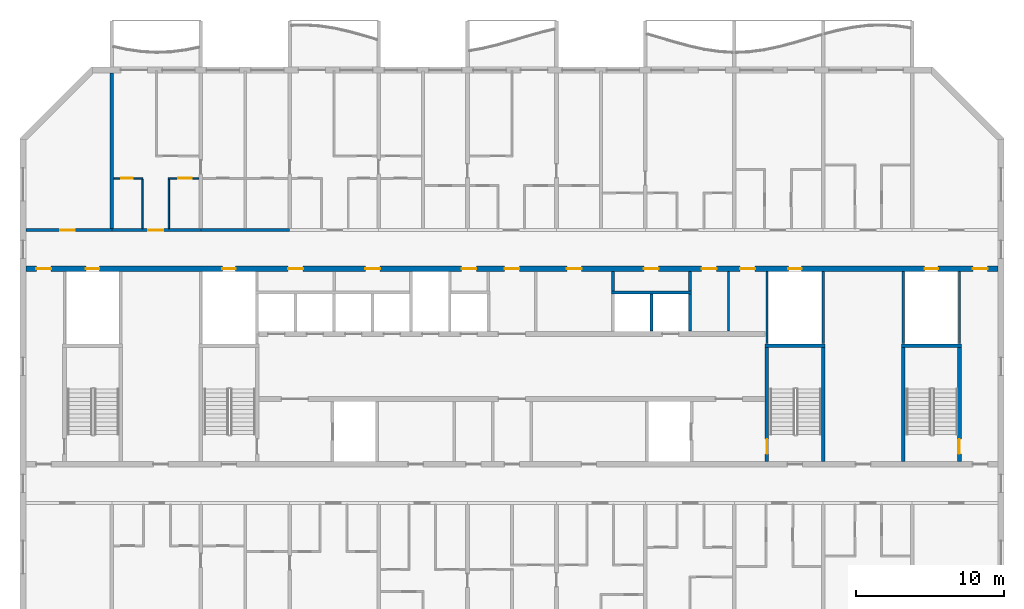
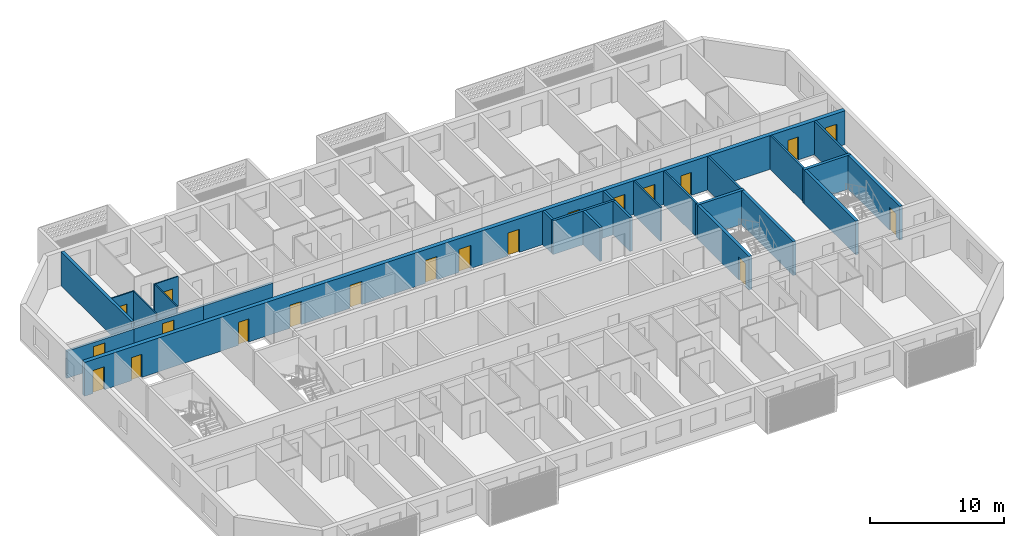
# One storey, part 7 of 26: 25 walls, 20 doors, 20 openings.
"""IFC4 building model written with IfcOpenShell, lengths in metres."""

import ifcopenshell
import ifcopenshell.guid

model = None  # the IFC model being written
_history = None  # IfcOwnerHistory: only IFC2X3 demands one
_inside = {}  # id of a spatial element -> (the spatial element, [elements in it])
_under = {}  # id of a project, library or spatial element -> (it, [spatial elements below it])
_declared = {}  # id of a project -> (the project, [libraries it declares])
_typed = {}  # id of a type object -> (the type object, [elements of that type])
_made_of = {}  # id of a material, layer set ... -> (it, [elements and type objects made of it])


def new_model(schema):
    """Start an empty IFC model of exactly this schema.

    Asked for "IFC4X3", IfcOpenShell would pick the latest addendum, in which some entities
    have other attributes; the version numbers below select the first issue.
    IFC2X3 requires an IfcOwnerHistory on every rooted entity: one is made here for all.
    """
    global model, _history
    if schema == "IFC4X3":
        model = ifcopenshell.file(schema_version=(4, 3, 0, 0))
    else:
        model = ifcopenshell.file(schema=schema)
    _inside.clear()
    _under.clear()
    _declared.clear()
    _typed.clear()
    _made_of.clear()
    _history = None
    if model.schema == "IFC2X3":
        org = make("IfcOrganization", Name="unknown")
        user = make(
            "IfcPersonAndOrganization",
            ThePerson=make("IfcPerson", FamilyName="unknown"),
            TheOrganization=org,
        )
        app = make(
            "IfcApplication",
            ApplicationDeveloper=org,
            Version="unknown",
            ApplicationFullName="unknown",
            ApplicationIdentifier="unknown",
        )
        _history = make(
            "IfcOwnerHistory",
            OwningUser=user,
            OwningApplication=app,
            ChangeAction="ADDED",
            CreationDate=0,
        )
    return model


def make(cls, **values):
    """One entity of the class cls with the attributes given. An attribute that is None is left unset."""
    return model.create_entity(
        cls, **{name: value for name, value in values.items() if value is not None}
    )


def rooted(cls, **values):
    """An entity with a GlobalId (a new one), such as an element, a storey or a relation."""
    return make(cls, GlobalId=ifcopenshell.guid.new(), OwnerHistory=_history, **values)


def si_unit(unit_type, name, prefix=None):
    """IfcSIUnit, for example si_unit("LENGTHUNIT", "METRE", prefix="MILLI")."""
    return make("IfcSIUnit", UnitType=unit_type, Prefix=prefix, Name=name)


def assignment(units):
    """IfcUnitAssignment: the units of a project."""
    return None if units is None else make("IfcUnitAssignment", Units=units)


def point(xyz):
    """IfcCartesianPoint."""
    return None if xyz is None else make("IfcCartesianPoint", Coordinates=xyz)


def direction(xyz):
    """IfcDirection."""
    return None if xyz is None else make("IfcDirection", DirectionRatios=xyz)


def frame(location, z_axis=None, x_axis=None):
    """IfcAxis2Placement3D, a coordinate frame: its origin and axes. An axis left out is left unset."""
    return make(
        "IfcAxis2Placement3D",
        Location=point(location),
        Axis=direction(z_axis),
        RefDirection=direction(x_axis),
    )


def frame_2d(location, x_axis=None):
    """IfcAxis2Placement2D, a coordinate frame in the plane: its origin and x axis."""
    return make(
        "IfcAxis2Placement2D", Location=point(location), RefDirection=direction(x_axis)
    )


def origin():
    """The frame at (0, 0, 0) with its axes left unset."""
    return frame((0.0, 0.0, 0.0))


def place(relative_to, where):
    """IfcLocalPlacement: puts the frame where relative to a parent placement (None: the world)."""
    return make(
        "IfcLocalPlacement", PlacementRelTo=relative_to, RelativePlacement=where
    )


def context(
    kind, dimensions, precision=None, world=None, true_north=None, identifier=None
):
    """IfcGeometricRepresentationContext, for example the 3D "Model" context."""
    return make(
        "IfcGeometricRepresentationContext",
        ContextIdentifier=identifier,
        ContextType=kind,
        CoordinateSpaceDimension=dimensions,
        Precision=precision,
        WorldCoordinateSystem=world,
        TrueNorth=true_north,
    )


def subcontext(parent, identifier, kind, view, scale=None):
    """IfcGeometricRepresentationSubContext, for example "Body" below "Model"."""
    return make(
        "IfcGeometricRepresentationSubContext",
        ContextIdentifier=identifier,
        ContextType=kind,
        ParentContext=parent,
        TargetScale=scale,
        TargetView=view,
    )


def project(units=None, contexts=None):
    """IfcProject with its units and contexts."""
    return rooted(
        "IfcProject",
        Name="project",
        RepresentationContexts=contexts,
        UnitsInContext=assignment(units),
    )


def spatial(cls, under=None, at=None, **own):
    """A site, building, storey or space (cls), placed at a placement, below another one or the project."""
    s = rooted(cls, ObjectPlacement=at, **own)
    if under is not None:
        _under.setdefault(under.id(), (under, []))[1].append(s)
    return s


def profile(cls, at=None, kind="AREA", **sizes):
    """A parametric profile (cls). Its sizes go by their IFC names, for example OverallWidth=200.0."""
    return make(cls, ProfileType=kind, Position=at, **sizes)


def rectangle(**sizes):
    """IfcRectangleProfileDef."""
    return profile("IfcRectangleProfileDef", **sizes)


def extrude(swept, where, along, depth):
    """IfcExtrudedAreaSolid: the profile swept, set in the frame where, extruded along a direction by depth."""
    return make(
        "IfcExtrudedAreaSolid",
        SweptArea=swept,
        Position=where,
        ExtrudedDirection=direction(along),
        Depth=depth,
    )


def shape(context_of_items, identifier, shape_type, items):
    """IfcShapeRepresentation: the items that make up one representation, for example the "Body"."""
    return make(
        "IfcShapeRepresentation",
        ContextOfItems=context_of_items,
        RepresentationIdentifier=identifier,
        RepresentationType=shape_type,
        Items=items,
    )


def material(Name=None, Category=None):
    """IfcMaterial."""
    return make("IfcMaterial", Name=Name, Category=Category)


def layer(
    of_material, thickness, ventilated=None, Name=None, Category=None, Priority=None
):
    """IfcMaterialLayer: one layer of a wall or slab, of a material (None: an air gap)."""
    return make(
        "IfcMaterialLayer",
        Material=of_material,
        LayerThickness=thickness,
        IsVentilated=ventilated,
        Name=Name,
        Category=Category,
        Priority=Priority,
    )


def layer_set(layers, Name=None):
    """IfcMaterialLayerSet."""
    return make("IfcMaterialLayerSet", MaterialLayers=layers, LayerSetName=Name)


def made_of(thing, what):
    """Note that an element or type object is made of a material, layer set ...; save() writes the relation."""
    if what is not None:
        _made_of.setdefault(what.id(), (what, []))[1].append(thing)
    return thing


def type_object(cls, material=None, **own):
    """A type object (cls), such as IfcWallType, which elements share."""
    return made_of(rooted(cls, **own), material)


def element(
    cls,
    number,
    at=None,
    inside=None,
    cuts=None,
    type_object=None,
    material=None,
    context=None,
    identifier="Body",
    shape_type=None,
    held_by="IfcProductDefinitionShape",
    body=None,
    shapes=None,
    **own,
):
    """One element of the class cls, such as IfcWall. Its Tag is "e" and its number.

    at: its placement. inside: the storey or other place that contains it. cuts: it is an
    opening in that element (IfcRelVoidsElement). A single representation is given by context,
    identifier, shape_type and body (its items); several are given by shapes. held_by: the class
    of the entity that holds the representations. save() writes the other relations.
    """
    e = rooted(cls, Tag="e%d" % number, ObjectPlacement=at, **own)
    if body is not None:
        shapes = [shape(context, identifier, shape_type, body)]
    if shapes is not None:
        e.Representation = make(held_by, Representations=shapes)
    if inside is not None:
        _inside.setdefault(inside.id(), (inside, []))[1].append(e)
    if cuts is not None:
        rooted(
            "IfcRelVoidsElement", RelatingBuildingElement=cuts, RelatedOpeningElement=e
        )
    if type_object is not None:
        _typed.setdefault(type_object.id(), (type_object, []))[1].append(e)
    return made_of(e, material)


def fill(opening, filler):
    """IfcRelFillsElement: the door or window that sits in an opening."""
    return rooted(
        "IfcRelFillsElement",
        RelatingOpeningElement=opening,
        RelatedBuildingElement=filler,
    )


def aggregate(whole, parts):
    """IfcRelAggregates: a whole, such as a stair, and the parts it consists of."""
    return rooted("IfcRelAggregates", RelatingObject=whole, RelatedObjects=parts)


def save(model, path):
    """Write the relations noted so far, then the file.

    IfcRelAggregates (storeys below a building ...), IfcRelContainedInSpatialStructure (elements
    in a storey), IfcRelDefinesByType, IfcRelAssociatesMaterial and IfcRelDeclares: one each for
    every whole, place, type object, material and project.
    """
    for whole, parts in _under.values():
        aggregate(whole, parts)
    for where, things in _inside.values():
        rooted(
            "IfcRelContainedInSpatialStructure",
            RelatedElements=things,
            RelatingStructure=where,
        )
    for kind, things in _typed.values():
        rooted("IfcRelDefinesByType", RelatedObjects=things, RelatingType=kind)
    for what, things in _made_of.values():
        rooted("IfcRelAssociatesMaterial", RelatedObjects=things, RelatingMaterial=what)
    for by, libraries in _declared.values():
        rooted("IfcRelDeclares", RelatingContext=by, RelatedDefinitions=libraries)
    model.write(path)


model = new_model("IFC4")

# Units and contexts
model_context = context("Model", 3, precision=1e-05, world=origin(), true_north=direction((0.0, 1.0)))
body_context = subcontext(model_context, "Body", "Model", "MODEL_VIEW")
ifc_project = project(units=[si_unit("LENGTHUNIT", "METRE"), si_unit("AREAUNIT", "SQUARE_METRE"), si_unit("VOLUMEUNIT", "CUBIC_METRE"), si_unit("PLANEANGLEUNIT", "RADIAN"), si_unit("MASSUNIT", "GRAM", prefix="KILO")], contexts=[model_context])

# Site, building, storey
site_placement = place(None, origin())
site = spatial("IfcSite", under=ifc_project, at=site_placement, CompositionType="ELEMENT")
building_placement = place(site_placement, origin())
building = spatial("IfcBuilding", under=site, at=building_placement, Name="Poui Terraces", CompositionType="ELEMENT")
storey_placement = place(building_placement, frame((0.0, 0.0, 244.5)))
storey = spatial("IfcBuildingStorey", under=building, at=storey_placement, Name="L68", CompositionType="ELEMENT", Elevation=244.5)

# Wall, opening, door
ifc_material_1 = material(Name="Concrete 50 MPa", Category="concrete")
ifc_layer_1 = layer(ifc_material_1, 0.199951171875)
ifc_layer_set_1 = layer_set([ifc_layer_1], Name="Concrete 50 MPa")
wall_type_1 = type_object("IfcWallType", Name="CORRIDOR WALL 200 50MPa", PredefinedType="SHEAR", material=ifc_layer_set_1)
wall_1_placement = place(storey_placement, frame((18.199951171875, 30.39990234375, 0.0), z_axis=(0.0, 0.0, 1.0), x_axis=(1.0, 0.0, 0.0)))
wall_1 = element("IfcWall", 1, at=wall_1_placement, inside=storey, type_object=wall_type_1, Name="CORRIDOR WALL LINE E BAY 1", PredefinedType="SHEAR", context=body_context, shape_type="SweptSolid", body=[
    extrude(rectangle(XDim=5.800048828125, YDim=0.199951171875, at=frame_2d((2.89990234375, 0.0))), origin(), (0.0, 0.0, 1.0), 2.47998046875),
])
opening_1_placement = place(wall_1_placement, frame((2.300048828125, 0.0, 0.0)))
opening_1 = element("IfcOpeningElement", 2, at=opening_1_placement, cuts=wall_1, Name="Opening D100", PredefinedType="OPENING", context=body_context, shape_type="SweptSolid", body=[
    extrude(rectangle(XDim=1.0, YDim=2.10009765625, at=frame_2d((0.5, 1.050048828125))), frame((0.0, 0.10986328125, 0.0), z_axis=(0.0, -1.0, 0.0), x_axis=(1.0, 0.0, 0.0)), (0.0, 0.0, 1.0), 0.219970703125),
])
ifc_material_2 = material(Name="Solid core timber door", Category="wood")
door_type_1 = type_object("IfcDoorType", Name="ACCESSIBLE INTERNAL DOOR 1000 X 2100", OperationType="NOTDEFINED", PredefinedType="DOOR", material=ifc_material_2)
door_1_placement = place(opening_1_placement, origin())
door_1 = element("IfcDoor", 3, at=door_1_placement, inside=storey, type_object=door_type_1, Name="ACCESSIBLE INTERNAL DOOR 025", OperationType="SINGLE_SWING_LEFT", OverallHeight=2.10009765625, OverallWidth=1.0, PredefinedType="DOOR", context=body_context, shape_type="SweptSolid", body=[
    extrude(rectangle(XDim=1.0, YDim=2.10009765625, at=frame_2d((0.5, 1.050048828125))), frame((0.0, 0.02490234375, 0.0), z_axis=(0.0, -1.0, 0.0), x_axis=(1.0, 0.0, 0.0)), (0.0, 0.0, 1.0), 0.050048828125),
])
fill(opening_1, door_1)

wall_2_placement = place(storey_placement, frame((24.0, 30.39990234375, 0.0), z_axis=(0.0, 0.0, 1.0), x_axis=(1.0, 0.0, 0.0)))
wall_2 = element("IfcWall", 4, at=wall_2_placement, inside=storey, type_object=wall_type_1, Name="CORRIDOR WALL LINE E BAY 2", PredefinedType="SHEAR", context=body_context, shape_type="SweptSolid", body=[
    extrude(rectangle(XDim=6.0, YDim=0.199951171875, at=frame_2d((3.0, 0.0))), origin(), (0.0, 0.0, 1.0), 2.47998046875),
])
opening_2_placement = place(wall_2_placement, frame((2.449951171875, 0.0, 0.0)))
opening_2 = element("IfcOpeningElement", 5, at=opening_2_placement, cuts=wall_2, Name="Opening FD30S", PredefinedType="OPENING", context=body_context, shape_type="SweptSolid", body=[
    extrude(rectangle(XDim=1.0, YDim=2.10009765625, at=frame_2d((0.5, 1.050048828125))), frame((0.0, 0.10986328125, 0.0), z_axis=(0.0, -1.0, 0.0), x_axis=(1.0, 0.0, 0.0)), (0.0, 0.0, 1.0), 0.219970703125),
])
ifc_material_3 = material(Name="Steel fire door", Category="steel")
door_type_2 = type_object("IfcDoorType", Name="FLAT ENTRANCE DOOR 1000 X 2100", OperationType="NOTDEFINED", PredefinedType="DOOR", material=ifc_material_3)
door_2_placement = place(opening_2_placement, origin())
door_2 = element("IfcDoor", 6, at=door_2_placement, inside=storey, type_object=door_type_2, Name="FLAT ENTRANCE DOOR 028", OperationType="SINGLE_SWING_LEFT", OverallHeight=2.10009765625, OverallWidth=1.0, PredefinedType="DOOR", context=body_context, shape_type="SweptSolid", body=[
    extrude(rectangle(XDim=1.0, YDim=2.10009765625, at=frame_2d((0.5, 1.050048828125))), frame((0.0, 0.02490234375, 0.0), z_axis=(0.0, -1.0, 0.0), x_axis=(1.0, 0.0, 0.0)), (0.0, 0.0, 1.0), 0.050048828125),
])
fill(opening_2, door_2)

# Walls
wall_3_placement = place(storey_placement, frame((30.0, 30.39990234375, 0.0), z_axis=(0.0, 0.0, 1.0), x_axis=(1.0, 0.0, 0.0)))
element("IfcWall", 7, at=wall_3_placement, inside=storey, type_object=wall_type_1, Name="CORRIDOR WALL LINE E BAY 3", PredefinedType="SHEAR", context=body_context, shape_type="SweptSolid", body=[
    extrude(rectangle(XDim=6.0, YDim=0.199951171875, at=frame_2d((3.0, 0.0))), origin(), (0.0, 0.0, 1.0), 2.47998046875),
])
ifc_layer_2 = layer(ifc_material_1, 0.25)
ifc_layer_set_2 = layer_set([ifc_layer_2], Name="Concrete 50 MPa")
wall_type_2 = type_object("IfcWallType", Name="CROSS WALL 250 50MPa", PredefinedType="SHEAR", material=ifc_layer_set_2)
wall_4_placement = place(storey_placement, frame((24.0, 30.5, 0.0), z_axis=(0.0, 0.0, 1.0), x_axis=(0.0, 1.0, 0.0)))
element("IfcWall", 8, at=wall_4_placement, inside=storey, type_object=wall_type_2, Name="CROSS WALL LINE 5 NORTH", PredefinedType="SHEAR", context=body_context, shape_type="SweptSolid", body=[
    extrude(rectangle(XDim=10.5, YDim=0.25, at=frame_2d((5.25, 0.0))), origin(), (0.0, 0.0, 1.0), 3.080078125),
])

# Wall, opening, door
ifc_material_4 = material(Name="Plasterboard partition")
ifc_layer_3 = layer(ifc_material_4, 0.10009765625)
ifc_layer_set_3 = layer_set([ifc_layer_3], Name="Plasterboard partition")
wall_type_3 = type_object("IfcWallType", Name="FLAT PARTITION 100", PredefinedType="PARTITIONING", material=ifc_layer_set_3)
wall_5_placement = place(storey_placement, frame((24.135009765625, 33.89990234375, 0.0), z_axis=(0.0, 0.0, 1.0), x_axis=(1.0, 0.0, 0.0)))
wall_5 = element("IfcWall", 9, at=wall_5_placement, inside=storey, type_object=wall_type_3, Name="FLAT PARTITION 100", PredefinedType="PARTITIONING", context=body_context, shape_type="SweptSolid", body=[
    extrude(rectangle(XDim=1.965087890625, YDim=0.10009765625, at=frame_2d((0.982421875, 0.0))), origin(), (0.0, 0.0, 1.0), 3.080078125),
])
opening_3_placement = place(wall_5_placement, frame((0.489990234375, 0.0, 0.0)))
opening_3 = element("IfcOpeningElement", 10, at=opening_3_placement, cuts=wall_5, Name="Opening D80", PredefinedType="OPENING", context=body_context, shape_type="SweptSolid", body=[
    extrude(rectangle(XDim=0.800048828125, YDim=2.10009765625, at=frame_2d((0.39990234375, 1.050048828125))), frame((0.0, 0.06005859375, 0.0), z_axis=(0.0, -1.0, 0.0), x_axis=(1.0, 0.0, 0.0)), (0.0, 0.0, 1.0), 0.1201171875),
])
door_type_3 = type_object("IfcDoorType", Name="BATHROOM, LAUNDRY AND STORE DOOR 800 X 2100", OperationType="NOTDEFINED", PredefinedType="DOOR", material=ifc_material_2)
door_3_placement = place(opening_3_placement, frame((0.800048828125, 0.0, 0.0), z_axis=(0.0, 0.0, 1.0), x_axis=(-1.0, 0.0, 0.0)))
door_3 = element("IfcDoor", 11, at=door_3_placement, inside=storey, type_object=door_type_3, Name="BATHROOM, LAUNDRY AND STORE DOOR 027", OperationType="SINGLE_SWING_LEFT", OverallHeight=2.10009765625, OverallWidth=0.800048828125, PredefinedType="DOOR", context=body_context, shape_type="SweptSolid", body=[
    extrude(rectangle(XDim=0.800048828125, YDim=2.10009765625, at=frame_2d((0.39990234375, 1.050048828125))), frame((0.0, 0.02490234375, 0.0), z_axis=(0.0, -1.0, 0.0), x_axis=(1.0, 0.0, 0.0)), (0.0, 0.0, 1.0), 0.050048828125),
])
fill(opening_3, door_3)

wall_6_placement = place(storey_placement, frame((27.800048828125, 33.89990234375, 0.0), z_axis=(0.0, 0.0, 1.0), x_axis=(1.0, 0.0, 0.0)))
wall_6 = element("IfcWall", 12, at=wall_6_placement, inside=storey, type_object=wall_type_3, Name="FLAT PARTITION 100", PredefinedType="PARTITIONING", context=body_context, shape_type="SweptSolid", body=[
    extrude(rectangle(XDim=2.06494140625, YDim=0.10009765625, at=frame_2d((1.032470703125, 0.0))), origin(), (0.0, 0.0, 1.0), 3.080078125),
])
opening_4_placement = place(wall_6_placement, frame((0.675048828125, 0.0, 0.0)))
opening_4 = element("IfcOpeningElement", 13, at=opening_4_placement, cuts=wall_6, Name="Opening D90", PredefinedType="OPENING", context=body_context, shape_type="SweptSolid", body=[
    extrude(rectangle(XDim=0.89990234375, YDim=2.10009765625, at=frame_2d((0.449951171875, 1.050048828125))), frame((0.0, 0.06005859375, 0.0), z_axis=(0.0, -1.0, 0.0), x_axis=(1.0, 0.0, 0.0)), (0.0, 0.0, 1.0), 0.1201171875),
])
door_type_4 = type_object("IfcDoorType", Name="INTERNAL DOOR 900 X 2100", OperationType="NOTDEFINED", PredefinedType="DOOR", material=ifc_material_2)
door_4_placement = place(opening_4_placement, frame((0.89990234375, 0.0, 0.0), z_axis=(0.0, 0.0, 1.0), x_axis=(-1.0, 0.0, 0.0)))
door_4 = element("IfcDoor", 14, at=door_4_placement, inside=storey, type_object=door_type_4, Name="INTERNAL DOOR 030", OperationType="SINGLE_SWING_RIGHT", OverallHeight=2.10009765625, OverallWidth=0.89990234375, PredefinedType="DOOR", context=body_context, shape_type="SweptSolid", body=[
    extrude(rectangle(XDim=0.89990234375, YDim=2.10009765625, at=frame_2d((0.449951171875, 1.050048828125))), frame((0.0, 0.02490234375, 0.0), z_axis=(0.0, -1.0, 0.0), x_axis=(1.0, 0.0, 0.0)), (0.0, 0.0, 1.0), 0.050048828125),
])
fill(opening_4, door_4)

# Walls
for number, where, z_axis, x_axis, name in (
    (15, (26.050048828125, 30.510009765625, 0.0), (0.0, 0.0, 1.0), (0.0, 1.0, 0.0), "FLAT PARTITION 100"),
    (16, (27.85009765625, 30.510009765625, 0.0), (0.0, 0.0, 1.0), (0.0, 1.0, 0.0), "FLAT PARTITION 100"),
):
    element("IfcWall", number, at=place(storey_placement, frame(where, z_axis=z_axis, x_axis=x_axis)), inside=storey, type_object=wall_type_3, Name=name, PredefinedType="PARTITIONING", context=body_context, shape_type="SweptSolid", body=[
        extrude(rectangle(XDim=3.340087890625, YDim=0.10009765625, at=frame_2d((1.669921875, 0.0))), origin(), (0.0, 0.0, 1.0), 3.080078125),
    ])
ifc_layer_4 = layer(ifc_material_4, 0.14990234375)
ifc_layer_set_4 = layer_set([ifc_layer_4], Name="Plasterboard partition")
wall_type_4 = type_object("IfcWallType", Name="PARTITION WALL 150", PredefinedType="PARTITIONING", material=ifc_layer_set_4)
wall_7_placement = place(storey_placement, frame((65.60009765625, 23.5849609375, 0.0), z_axis=(0.0, 0.0, 1.0), x_axis=(0.0, 1.0, 0.0)))
element("IfcWall", 17, at=wall_7_placement, inside=storey, type_object=wall_type_4, Name="PARTITION WALL 150", PredefinedType="PARTITIONING", context=body_context, shape_type="SweptSolid", body=[
    extrude(rectangle(XDim=4.030029296875, YDim=0.14990234375, at=frame_2d((2.01513671875, 0.0))), origin(), (0.0, 0.0, 1.0), 3.080078125),
])
ifc_material_5 = material(Name="Fire-rated masonry wall", Category="masonry")
ifc_layer_5 = layer(ifc_material_5, 0.199951171875)
ifc_layer_set_5 = layer_set([ifc_layer_5], Name="Fire-rated masonry wall")
wall_type_5 = type_object("IfcWallType", Name="PLANT ROOM WALL 200", PredefinedType="PARTITIONING", material=ifc_layer_set_5)
for number, where, z_axis, x_axis, name in (
    (18, (57.800048828125, 26.300048828125, 0.0), (0.0, 0.0, 1.0), (0.0, 1.0, 0.0), "PLANT ROOM WALL 200"),
    (19, (63.0, 26.300048828125, 0.0), (0.0, 0.0, 1.0), (0.0, 1.0, 0.0), "PLANT ROOM WALL 200"),
):
    element("IfcWall", number, at=place(storey_placement, frame(where, z_axis=z_axis, x_axis=x_axis)), inside=storey, type_object=wall_type_5, Name=name, PredefinedType="PARTITIONING", context=body_context, shape_type="SweptSolid", body=[
        extrude(rectangle(XDim=1.31494140625, YDim=0.199951171875, at=frame_2d((0.657470703125, 0.0))), origin(), (0.0, 0.0, 1.0), 3.080078125),
    ])
ifc_material_6 = material(Name="Fire-rated plasterboard riser wall")
ifc_layer_6 = layer(ifc_material_6, 0.14990234375)
ifc_layer_set_6 = layer_set([ifc_layer_6], Name="Fire-rated plasterboard riser wall")
wall_type_6 = type_object("IfcWallType", Name="RISER WALL 150", PredefinedType="PARTITIONING", material=ifc_layer_set_6)
for number, where, z_axis, x_axis, name in (
    (20, (68.199951171875, 22.735107421875, 0.0), (0.0, 0.0, 1.0), (0.0, 1.0, 0.0), "RISER WALL 150"),
    (21, (72.0, 22.735107421875, 0.0), (0.0, 0.0, 1.0), (0.0, 1.0, 0.0), "RISER WALL 150"),
    (22, (77.39990234375, 22.735107421875, 0.0), (0.0, 0.0, 1.0), (0.0, 1.0, 0.0), "RISER WALL 150"),
    (23, (81.199951171875, 22.735107421875, 0.0), (0.0, 0.0, 1.0), (0.0, 1.0, 0.0), "RISER WALL 150"),
):
    element("IfcWall", number, at=place(storey_placement, frame(where, z_axis=z_axis, x_axis=x_axis)), inside=storey, type_object=wall_type_6, Name=name, PredefinedType="PARTITIONING", context=body_context, shape_type="SweptSolid", body=[
        extrude(rectangle(XDim=4.8798828125, YDim=0.14990234375, at=frame_2d((2.43994140625, 0.0))), origin(), (0.0, 0.0, 1.0), 3.080078125),
    ])
ifc_material_7 = material(Name="Fire-rated masonry shaft wall", Category="masonry")
ifc_layer_7 = layer(ifc_material_7, 0.199951171875)
ifc_layer_set_7 = layer_set([ifc_layer_7], Name="Fire-rated masonry shaft wall")
wall_type_7 = type_object("IfcWallType", Name="SHAFT WALL 200", PredefinedType="PARTITIONING", material=ifc_layer_set_7)
wall_8_placement = place(storey_placement, frame((57.699951171875, 26.199951171875, 0.0), z_axis=(0.0, 0.0, 1.0), x_axis=(1.0, 0.0, 0.0)))
element("IfcWall", 24, at=wall_8_placement, inside=storey, type_object=wall_type_7, Name="SHAFT WALL 200", PredefinedType="PARTITIONING", context=body_context, shape_type="SweptSolid", body=[
    extrude(rectangle(XDim=5.400146484375, YDim=0.199951171875, at=frame_2d((2.7001953125, 0.0))), origin(), (0.0, 0.0, 1.0), 3.080078125),
])
for number, where, z_axis, x_axis, name in (
    (25, (60.39990234375, 23.5849609375, 0.0), (0.0, 0.0, 1.0), (0.0, 1.0, 0.0), "SHAFT WALL 200"),
    (26, (63.0, 23.5849609375, 0.0), (0.0, 0.0, 1.0), (0.0, 1.0, 0.0), "SHAFT WALL 200"),
):
    element("IfcWall", number, at=place(storey_placement, frame(where, z_axis=z_axis, x_axis=x_axis)), inside=storey, type_object=wall_type_7, Name=name, PredefinedType="PARTITIONING", context=body_context, shape_type="SweptSolid", body=[
        extrude(rectangle(XDim=2.51513671875, YDim=0.199951171875, at=frame_2d((1.257568359375, 0.0))), origin(), (0.0, 0.0, 1.0), 3.080078125),
    ])

# Wall, openings, doors
ifc_layer_8 = layer(ifc_material_1, 0.35009765625)
ifc_layer_set_8 = layer_set([ifc_layer_8], Name="Concrete 50 MPa")
wall_type_8 = type_object("IfcWallType", Name="SPINE WALL 350 50 MPA", PredefinedType="SOLIDWALL", material=ifc_layer_set_8)
wall_9_placement = place(storey_placement, frame((18.199951171875, 27.800048828125, 0.0), z_axis=(0.0, 0.0, 1.0), x_axis=(1.0, 0.0, 0.0)))
wall_9 = element("IfcWall", 27, at=wall_9_placement, inside=storey, type_object=wall_type_8, Name="SPINE WALL", PredefinedType="SOLIDWALL", context=body_context, shape_type="SweptSolid", body=[
    extrude(rectangle(XDim=65.60009765625, YDim=0.35009765625, at=frame_2d((32.800048828125, 0.0))), origin(), (0.0, 0.0, 1.0), 3.080078125),
])
opening_5_placement = place(wall_9_placement, frame((0.699951171875, 0.0, 0.0)))
opening_5 = element("IfcOpeningElement", 28, at=opening_5_placement, cuts=wall_9, Name="Opening FDL", PredefinedType="OPENING", context=body_context, shape_type="SweptSolid", body=[
    extrude(rectangle(XDim=1.0, YDim=2.10009765625, at=frame_2d((0.5, 1.050048828125))), frame((0.0, 0.18505859375, 0.0), z_axis=(0.0, -1.0, 0.0), x_axis=(1.0, 0.0, 0.0)), (0.0, 0.0, 1.0), 0.3701171875),
])
opening_6_placement = place(wall_9_placement, frame((4.050048828125, 0.0, 0.0)))
opening_6 = element("IfcOpeningElement", 29, at=opening_6_placement, cuts=wall_9, Name="Opening FDR", PredefinedType="OPENING", context=body_context, shape_type="SweptSolid", body=[
    extrude(rectangle(XDim=0.89990234375, YDim=2.10009765625, at=frame_2d((0.449951171875, 1.050048828125))), frame((0.0, 0.18505859375, 0.0), z_axis=(0.0, -1.0, 0.0), x_axis=(1.0, 0.0, 0.0)), (0.0, 0.0, 1.0), 0.3701171875),
])
opening_7_placement = place(wall_9_placement, frame((13.25, 0.0, 0.0)))
opening_7 = element("IfcOpeningElement", 30, at=opening_7_placement, cuts=wall_9, Name="Opening FDR", PredefinedType="OPENING", context=body_context, shape_type="SweptSolid", body=[
    extrude(rectangle(XDim=0.89990234375, YDim=2.10009765625, at=frame_2d((0.449951171875, 1.050048828125))), frame((0.0, 0.18505859375, 0.0), z_axis=(0.0, -1.0, 0.0), x_axis=(1.0, 0.0, 0.0)), (0.0, 0.0, 1.0), 0.3701171875),
])
opening_8_placement = place(wall_9_placement, frame((17.699951171875, 0.0, 0.0)))
opening_8 = element("IfcOpeningElement", 31, at=opening_8_placement, cuts=wall_9, Name="Opening FD60", PredefinedType="OPENING", context=body_context, shape_type="SweptSolid", body=[
    extrude(rectangle(XDim=1.0, YDim=2.10009765625, at=frame_2d((0.5, 1.050048828125))), frame((0.0, 0.18505859375, 0.0), z_axis=(0.0, -1.0, 0.0), x_axis=(1.0, 0.0, 0.0)), (0.0, 0.0, 1.0), 0.3701171875),
])
opening_9_placement = place(wall_9_placement, frame((22.89990234375, 0.0, 0.0)))
opening_9 = element("IfcOpeningElement", 32, at=opening_9_placement, cuts=wall_9, Name="Opening FD60", PredefinedType="OPENING", context=body_context, shape_type="SweptSolid", body=[
    extrude(rectangle(XDim=1.0, YDim=2.10009765625, at=frame_2d((0.5, 1.050048828125))), frame((0.0, 0.18505859375, 0.0), z_axis=(0.0, -1.0, 0.0), x_axis=(1.0, 0.0, 0.0)), (0.0, 0.0, 1.0), 0.3701171875),
])
opening_10_placement = place(wall_9_placement, frame((29.39990234375, 0.0, 0.0)))
opening_10 = element("IfcOpeningElement", 33, at=opening_10_placement, cuts=wall_9, Name="Opening FD60", PredefinedType="OPENING", context=body_context, shape_type="SweptSolid", body=[
    extrude(rectangle(XDim=1.0, YDim=2.10009765625, at=frame_2d((0.5, 1.050048828125))), frame((0.0, 0.18505859375, 0.0), z_axis=(0.0, -1.0, 0.0), x_axis=(1.0, 0.0, 0.0)), (0.0, 0.0, 1.0), 0.3701171875),
])
opening_11_placement = place(wall_9_placement, frame((32.300048828125, 0.0, 0.0)))
opening_11 = element("IfcOpeningElement", 34, at=opening_11_placement, cuts=wall_9, Name="Opening FDL", PredefinedType="OPENING", context=body_context, shape_type="SweptSolid", body=[
    extrude(rectangle(XDim=1.0, YDim=2.10009765625, at=frame_2d((0.5, 1.050048828125))), frame((0.0, 0.18505859375, 0.0), z_axis=(0.0, -1.0, 0.0), x_axis=(1.0, 0.0, 0.0)), (0.0, 0.0, 1.0), 0.3701171875),
])
opening_12_placement = place(wall_9_placement, frame((36.5, 0.0, 0.0)))
opening_12 = element("IfcOpeningElement", 35, at=opening_12_placement, cuts=wall_9, Name="Opening FD60", PredefinedType="OPENING", context=body_context, shape_type="SweptSolid", body=[
    extrude(rectangle(XDim=1.0, YDim=2.10009765625, at=frame_2d((0.5, 1.050048828125))), frame((0.0, 0.18505859375, 0.0), z_axis=(0.0, -1.0, 0.0), x_axis=(1.0, 0.0, 0.0)), (0.0, 0.0, 1.0), 0.3701171875),
])
opening_13_placement = place(wall_9_placement, frame((41.699951171875, 0.0, 0.0)))
opening_13 = element("IfcOpeningElement", 36, at=opening_13_placement, cuts=wall_9, Name="Opening FD60", PredefinedType="OPENING", context=body_context, shape_type="SweptSolid", body=[
    extrude(rectangle(XDim=1.0, YDim=2.10009765625, at=frame_2d((0.5, 1.050048828125))), frame((0.0, 0.18505859375, 0.0), z_axis=(0.0, -1.0, 0.0), x_axis=(1.0, 0.0, 0.0)), (0.0, 0.0, 1.0), 0.3701171875),
])
opening_14_placement = place(wall_9_placement, frame((45.60009765625, 0.0, 0.0)))
opening_14 = element("IfcOpeningElement", 37, at=opening_14_placement, cuts=wall_9, Name="Opening FD60", PredefinedType="OPENING", context=body_context, shape_type="SweptSolid", body=[
    extrude(rectangle(XDim=1.0, YDim=2.10009765625, at=frame_2d((0.5, 1.050048828125))), frame((0.0, 0.18505859375, 0.0), z_axis=(0.0, -1.0, 0.0), x_axis=(1.0, 0.0, 0.0)), (0.0, 0.0, 1.0), 0.3701171875),
])
opening_15_placement = place(wall_9_placement, frame((48.199951171875, 0.0, 0.0)))
opening_15 = element("IfcOpeningElement", 38, at=opening_15_placement, cuts=wall_9, Name="Opening FD60", PredefinedType="OPENING", context=body_context, shape_type="SweptSolid", body=[
    extrude(rectangle(XDim=1.0, YDim=2.10009765625, at=frame_2d((0.5, 1.050048828125))), frame((0.0, 0.18505859375, 0.0), z_axis=(0.0, -1.0, 0.0), x_axis=(1.0, 0.0, 0.0)), (0.0, 0.0, 1.0), 0.3701171875),
])
opening_16_placement = place(wall_9_placement, frame((51.449951171875, 0.0, 0.0)))
opening_16 = element("IfcOpeningElement", 39, at=opening_16_placement, cuts=wall_9, Name="Opening FDR", PredefinedType="OPENING", context=body_context, shape_type="SweptSolid", body=[
    extrude(rectangle(XDim=0.89990234375, YDim=2.10009765625, at=frame_2d((0.449951171875, 1.050048828125))), frame((0.0, 0.18505859375, 0.0), z_axis=(0.0, -1.0, 0.0), x_axis=(1.0, 0.0, 0.0)), (0.0, 0.0, 1.0), 0.3701171875),
])
opening_17_placement = place(wall_9_placement, frame((60.64990234375, 0.0, 0.0)))
opening_17 = element("IfcOpeningElement", 40, at=opening_17_placement, cuts=wall_9, Name="Opening FDR", PredefinedType="OPENING", context=body_context, shape_type="SweptSolid", body=[
    extrude(rectangle(XDim=0.89990234375, YDim=2.10009765625, at=frame_2d((0.449951171875, 1.050048828125))), frame((0.0, 0.18505859375, 0.0), z_axis=(0.0, -1.0, 0.0), x_axis=(1.0, 0.0, 0.0)), (0.0, 0.0, 1.0), 0.3701171875),
])
opening_18_placement = place(wall_9_placement, frame((63.89990234375, 0.0, 0.0)))
opening_18 = element("IfcOpeningElement", 41, at=opening_18_placement, cuts=wall_9, Name="Opening FDL", PredefinedType="OPENING", context=body_context, shape_type="SweptSolid", body=[
    extrude(rectangle(XDim=1.0, YDim=2.10009765625, at=frame_2d((0.5, 1.050048828125))), frame((0.0, 0.18505859375, 0.0), z_axis=(0.0, -1.0, 0.0), x_axis=(1.0, 0.0, 0.0)), (0.0, 0.0, 1.0), 0.3701171875),
])
door_type_5 = type_object("IfcDoorType", Name="LOBBY FIRE DOOR 1000 X 2100", OperationType="NOTDEFINED", PredefinedType="DOOR", material=ifc_material_3)
door_5_placement = place(opening_5_placement, origin())
door_5 = element("IfcDoor", 42, at=door_5_placement, inside=storey, type_object=door_type_5, Name="LOBBY FIRE DOOR 001", OperationType="SINGLE_SWING_LEFT", OverallHeight=2.10009765625, OverallWidth=1.0, PredefinedType="DOOR", context=body_context, shape_type="SweptSolid", body=[
    extrude(rectangle(XDim=1.0, YDim=2.10009765625, at=frame_2d((0.5, 1.050048828125))), frame((0.0, 0.02490234375, 0.0), z_axis=(0.0, -1.0, 0.0), x_axis=(1.0, 0.0, 0.0)), (0.0, 0.0, 1.0), 0.050048828125),
])
fill(opening_5, door_5)
door_6_placement = place(opening_11_placement, origin())
door_6 = element("IfcDoor", 43, at=door_6_placement, inside=storey, type_object=door_type_5, Name="LOBBY FIRE DOOR 007", OperationType="SINGLE_SWING_RIGHT", OverallHeight=2.10009765625, OverallWidth=1.0, PredefinedType="DOOR", context=body_context, shape_type="SweptSolid", body=[
    extrude(rectangle(XDim=1.0, YDim=2.10009765625, at=frame_2d((0.5, 1.050048828125))), frame((0.0, 0.02490234375, 0.0), z_axis=(0.0, -1.0, 0.0), x_axis=(1.0, 0.0, 0.0)), (0.0, 0.0, 1.0), 0.050048828125),
])
fill(opening_11, door_6)
door_7_placement = place(opening_18_placement, origin())
door_7 = element("IfcDoor", 44, at=door_7_placement, inside=storey, type_object=door_type_5, Name="LOBBY FIRE DOOR 014", OperationType="SINGLE_SWING_RIGHT", OverallHeight=2.10009765625, OverallWidth=1.0, PredefinedType="DOOR", context=body_context, shape_type="SweptSolid", body=[
    extrude(rectangle(XDim=1.0, YDim=2.10009765625, at=frame_2d((0.5, 1.050048828125))), frame((0.0, 0.02490234375, 0.0), z_axis=(0.0, -1.0, 0.0), x_axis=(1.0, 0.0, 0.0)), (0.0, 0.0, 1.0), 0.050048828125),
])
fill(opening_18, door_7)
door_type_6 = type_object("IfcDoorType", Name="RISER CUPBOARD DOOR 900 X 2100", OperationType="NOTDEFINED", PredefinedType="DOOR", material=ifc_material_3)
door_8_placement = place(opening_6_placement, origin())
door_8 = element("IfcDoor", 45, at=door_8_placement, inside=storey, type_object=door_type_6, Name="RISER CUPBOARD DOOR 002", OperationType="SINGLE_SWING_LEFT", OverallHeight=2.10009765625, OverallWidth=0.89990234375, PredefinedType="DOOR", context=body_context, shape_type="SweptSolid", body=[
    extrude(rectangle(XDim=0.89990234375, YDim=2.10009765625, at=frame_2d((0.449951171875, 1.050048828125))), frame((0.0, 0.02490234375, 0.0), z_axis=(0.0, -1.0, 0.0), x_axis=(1.0, 0.0, 0.0)), (0.0, 0.0, 1.0), 0.050048828125),
])
fill(opening_6, door_8)
door_9_placement = place(opening_7_placement, origin())
door_9 = element("IfcDoor", 46, at=door_9_placement, inside=storey, type_object=door_type_6, Name="RISER CUPBOARD DOOR 003", OperationType="SINGLE_SWING_LEFT", OverallHeight=2.10009765625, OverallWidth=0.89990234375, PredefinedType="DOOR", context=body_context, shape_type="SweptSolid", body=[
    extrude(rectangle(XDim=0.89990234375, YDim=2.10009765625, at=frame_2d((0.449951171875, 1.050048828125))), frame((0.0, 0.02490234375, 0.0), z_axis=(0.0, -1.0, 0.0), x_axis=(1.0, 0.0, 0.0)), (0.0, 0.0, 1.0), 0.050048828125),
])
fill(opening_7, door_9)
door_10_placement = place(opening_16_placement, origin())
door_10 = element("IfcDoor", 47, at=door_10_placement, inside=storey, type_object=door_type_6, Name="RISER CUPBOARD DOOR 012", OperationType="SINGLE_SWING_RIGHT", OverallHeight=2.10009765625, OverallWidth=0.89990234375, PredefinedType="DOOR", context=body_context, shape_type="SweptSolid", body=[
    extrude(rectangle(XDim=0.89990234375, YDim=2.10009765625, at=frame_2d((0.449951171875, 1.050048828125))), frame((0.0, 0.02490234375, 0.0), z_axis=(0.0, -1.0, 0.0), x_axis=(1.0, 0.0, 0.0)), (0.0, 0.0, 1.0), 0.050048828125),
])
fill(opening_16, door_10)
door_11_placement = place(opening_17_placement, origin())
door_11 = element("IfcDoor", 48, at=door_11_placement, inside=storey, type_object=door_type_6, Name="RISER CUPBOARD DOOR 013", OperationType="SINGLE_SWING_RIGHT", OverallHeight=2.10009765625, OverallWidth=0.89990234375, PredefinedType="DOOR", context=body_context, shape_type="SweptSolid", body=[
    extrude(rectangle(XDim=0.89990234375, YDim=2.10009765625, at=frame_2d((0.449951171875, 1.050048828125))), frame((0.0, 0.02490234375, 0.0), z_axis=(0.0, -1.0, 0.0), x_axis=(1.0, 0.0, 0.0)), (0.0, 0.0, 1.0), 0.050048828125),
])
fill(opening_17, door_11)
door_type_7 = type_object("IfcDoorType", Name="SERVICE ROOM FIRE DOOR 1000 X 2100", OperationType="NOTDEFINED", PredefinedType="DOOR", material=ifc_material_3)
door_12_placement = place(opening_8_placement, origin())
door_12 = element("IfcDoor", 49, at=door_12_placement, inside=storey, type_object=door_type_7, Name="SERVICE ROOM FIRE DOOR 004", OperationType="SINGLE_SWING_RIGHT", OverallHeight=2.10009765625, OverallWidth=1.0, PredefinedType="DOOR", context=body_context, shape_type="SweptSolid", body=[
    extrude(rectangle(XDim=1.0, YDim=2.10009765625, at=frame_2d((0.5, 1.050048828125))), frame((0.0, 0.02490234375, 0.0), z_axis=(0.0, -1.0, 0.0), x_axis=(1.0, 0.0, 0.0)), (0.0, 0.0, 1.0), 0.050048828125),
])
fill(opening_8, door_12)
door_13_placement = place(opening_9_placement, origin())
door_13 = element("IfcDoor", 50, at=door_13_placement, inside=storey, type_object=door_type_7, Name="SERVICE ROOM FIRE DOOR 005", OperationType="SINGLE_SWING_LEFT", OverallHeight=2.10009765625, OverallWidth=1.0, PredefinedType="DOOR", context=body_context, shape_type="SweptSolid", body=[
    extrude(rectangle(XDim=1.0, YDim=2.10009765625, at=frame_2d((0.5, 1.050048828125))), frame((0.0, 0.02490234375, 0.0), z_axis=(0.0, -1.0, 0.0), x_axis=(1.0, 0.0, 0.0)), (0.0, 0.0, 1.0), 0.050048828125),
])
fill(opening_9, door_13)
door_14_placement = place(opening_10_placement, origin())
door_14 = element("IfcDoor", 51, at=door_14_placement, inside=storey, type_object=door_type_7, Name="SERVICE ROOM FIRE DOOR 006", OperationType="SINGLE_SWING_RIGHT", OverallHeight=2.10009765625, OverallWidth=1.0, PredefinedType="DOOR", context=body_context, shape_type="SweptSolid", body=[
    extrude(rectangle(XDim=1.0, YDim=2.10009765625, at=frame_2d((0.5, 1.050048828125))), frame((0.0, 0.02490234375, 0.0), z_axis=(0.0, -1.0, 0.0), x_axis=(1.0, 0.0, 0.0)), (0.0, 0.0, 1.0), 0.050048828125),
])
fill(opening_10, door_14)
door_15_placement = place(opening_12_placement, origin())
door_15 = element("IfcDoor", 52, at=door_15_placement, inside=storey, type_object=door_type_7, Name="SERVICE ROOM FIRE DOOR 008", OperationType="SINGLE_SWING_LEFT", OverallHeight=2.10009765625, OverallWidth=1.0, PredefinedType="DOOR", context=body_context, shape_type="SweptSolid", body=[
    extrude(rectangle(XDim=1.0, YDim=2.10009765625, at=frame_2d((0.5, 1.050048828125))), frame((0.0, 0.02490234375, 0.0), z_axis=(0.0, -1.0, 0.0), x_axis=(1.0, 0.0, 0.0)), (0.0, 0.0, 1.0), 0.050048828125),
])
fill(opening_12, door_15)
door_16_placement = place(opening_13_placement, origin())
door_16 = element("IfcDoor", 53, at=door_16_placement, inside=storey, type_object=door_type_7, Name="SERVICE ROOM FIRE DOOR 009", OperationType="SINGLE_SWING_RIGHT", OverallHeight=2.10009765625, OverallWidth=1.0, PredefinedType="DOOR", context=body_context, shape_type="SweptSolid", body=[
    extrude(rectangle(XDim=1.0, YDim=2.10009765625, at=frame_2d((0.5, 1.050048828125))), frame((0.0, 0.02490234375, 0.0), z_axis=(0.0, -1.0, 0.0), x_axis=(1.0, 0.0, 0.0)), (0.0, 0.0, 1.0), 0.050048828125),
])
fill(opening_13, door_16)
door_17_placement = place(opening_14_placement, origin())
door_17 = element("IfcDoor", 54, at=door_17_placement, inside=storey, type_object=door_type_7, Name="SERVICE ROOM FIRE DOOR 010", OperationType="SINGLE_SWING_LEFT", OverallHeight=2.10009765625, OverallWidth=1.0, PredefinedType="DOOR", context=body_context, shape_type="SweptSolid", body=[
    extrude(rectangle(XDim=1.0, YDim=2.10009765625, at=frame_2d((0.5, 1.050048828125))), frame((0.0, 0.02490234375, 0.0), z_axis=(0.0, -1.0, 0.0), x_axis=(1.0, 0.0, 0.0)), (0.0, 0.0, 1.0), 0.050048828125),
])
fill(opening_14, door_17)
door_18_placement = place(opening_15_placement, origin())
door_18 = element("IfcDoor", 55, at=door_18_placement, inside=storey, type_object=door_type_7, Name="SERVICE ROOM FIRE DOOR 011", OperationType="SINGLE_SWING_RIGHT", OverallHeight=2.10009765625, OverallWidth=1.0, PredefinedType="DOOR", context=body_context, shape_type="SweptSolid", body=[
    extrude(rectangle(XDim=1.0, YDim=2.10009765625, at=frame_2d((0.5, 1.050048828125))), frame((0.0, 0.02490234375, 0.0), z_axis=(0.0, -1.0, 0.0), x_axis=(1.0, 0.0, 0.0)), (0.0, 0.0, 1.0), 0.050048828125),
])
fill(opening_15, door_18)

# Wall, opening, door
ifc_layer_9 = layer(ifc_material_1, 0.25)
ifc_layer_set_9 = layer_set([ifc_layer_9], Name="Concrete 50 MPa")
wall_type_9 = type_object("IfcWallType", Name="STAIR CORE WALL 250 50 MPA", PredefinedType="SOLIDWALL", material=ifc_layer_set_9)
wall_10_placement = place(storey_placement, frame((68.199951171875, 14.77490234375, 0.0), z_axis=(0.0, 0.0, 1.0), x_axis=(0.0, 1.0, 0.0)))
wall_10 = element("IfcWall", 56, at=wall_10_placement, inside=storey, type_object=wall_type_9, Name="STAIR CORE WALL", PredefinedType="SOLIDWALL", context=body_context, shape_type="SweptSolid", body=[
    extrude(rectangle(XDim=7.7001953125, YDim=0.25, at=frame_2d((3.85009765625, 0.0))), origin(), (0.0, 0.0, 1.0), 3.080078125),
])
opening_19_placement = place(wall_10_placement, frame((0.52490234375, 0.0, 0.0)))
opening_19 = element("IfcOpeningElement", 57, at=opening_19_placement, cuts=wall_10, Name="Opening FD60S", PredefinedType="OPENING", context=body_context, shape_type="SweptSolid", body=[
    extrude(rectangle(XDim=1.0, YDim=2.10009765625, at=frame_2d((0.5, 1.050048828125))), frame((0.0, 0.135009765625, 0.0), z_axis=(0.0, -1.0, 0.0), x_axis=(1.0, 0.0, 0.0)), (0.0, 0.0, 1.0), 0.27001953125),
])
door_type_8 = type_object("IfcDoorType", Name="STAIR DOOR 1000 X 2100", OperationType="NOTDEFINED", PredefinedType="DOOR", material=ifc_material_3)
door_19_placement = place(opening_19_placement, frame((1.0, 0.0, 0.0), z_axis=(0.0, 0.0, 1.0), x_axis=(-1.0, 0.0, 0.0)))
door_19 = element("IfcDoor", 58, at=door_19_placement, inside=storey, type_object=door_type_8, Name="STAIR DOOR 096", OperationType="SINGLE_SWING_LEFT", OverallHeight=2.10009765625, OverallWidth=1.0, PredefinedType="DOOR", context=body_context, shape_type="SweptSolid", body=[
    extrude(rectangle(XDim=1.0, YDim=2.10009765625, at=frame_2d((0.5, 1.050048828125))), frame((0.0, 0.02490234375, 0.0), z_axis=(0.0, -1.0, 0.0), x_axis=(1.0, 0.0, 0.0)), (0.0, 0.0, 1.0), 0.050048828125),
])
fill(opening_19, door_19)

# Walls
wall_11_placement = place(storey_placement, frame((72.0, 14.77490234375, 0.0), z_axis=(0.0, 0.0, 1.0), x_axis=(0.0, 1.0, 0.0)))
element("IfcWall", 59, at=wall_11_placement, inside=storey, type_object=wall_type_9, Name="STAIR CORE WALL", PredefinedType="SOLIDWALL", context=body_context, shape_type="SweptSolid", body=[
    extrude(rectangle(XDim=7.7001953125, YDim=0.25, at=frame_2d((3.85009765625, 0.0))), origin(), (0.0, 0.0, 1.0), 3.080078125),
])
wall_12_placement = place(storey_placement, frame((68.074951171875, 22.60009765625, 0.0), z_axis=(0.0, 0.0, 1.0), x_axis=(1.0, 0.0, 0.0)))
element("IfcWall", 60, at=wall_12_placement, inside=storey, type_object=wall_type_9, Name="STAIR CORE WALL", PredefinedType="SOLIDWALL", context=body_context, shape_type="SweptSolid", body=[
    extrude(rectangle(XDim=4.050048828125, YDim=0.25, at=frame_2d((2.02490234375, 0.0))), origin(), (0.0, 0.0, 1.0), 3.080078125),
])
wall_13_placement = place(storey_placement, frame((77.39990234375, 14.77490234375, 0.0), z_axis=(0.0, 0.0, 1.0), x_axis=(0.0, 1.0, 0.0)))
element("IfcWall", 61, at=wall_13_placement, inside=storey, type_object=wall_type_9, Name="STAIR CORE WALL", PredefinedType="SOLIDWALL", context=body_context, shape_type="SweptSolid", body=[
    extrude(rectangle(XDim=7.7001953125, YDim=0.25, at=frame_2d((3.85009765625, 0.0))), origin(), (0.0, 0.0, 1.0), 3.080078125),
])

# Wall, opening, door
wall_14_placement = place(storey_placement, frame((81.199951171875, 14.77490234375, 0.0), z_axis=(0.0, 0.0, 1.0), x_axis=(0.0, 1.0, 0.0)))
wall_14 = element("IfcWall", 62, at=wall_14_placement, inside=storey, type_object=wall_type_9, Name="STAIR CORE WALL", PredefinedType="SOLIDWALL", context=body_context, shape_type="SweptSolid", body=[
    extrude(rectangle(XDim=7.7001953125, YDim=0.25, at=frame_2d((3.85009765625, 0.0))), origin(), (0.0, 0.0, 1.0), 3.080078125),
])
opening_20_placement = place(wall_14_placement, frame((0.52490234375, 0.0, 0.0)))
opening_20 = element("IfcOpeningElement", 63, at=opening_20_placement, cuts=wall_14, Name="Opening FD60S", PredefinedType="OPENING", context=body_context, shape_type="SweptSolid", body=[
    extrude(rectangle(XDim=1.0, YDim=2.10009765625, at=frame_2d((0.5, 1.050048828125))), frame((0.0, 0.135009765625, 0.0), z_axis=(0.0, -1.0, 0.0), x_axis=(1.0, 0.0, 0.0)), (0.0, 0.0, 1.0), 0.27001953125),
])
door_20_placement = place(opening_20_placement, origin())
door_20 = element("IfcDoor", 64, at=door_20_placement, inside=storey, type_object=door_type_8, Name="STAIR DOOR 110", OperationType="SINGLE_SWING_LEFT", OverallHeight=2.10009765625, OverallWidth=1.0, PredefinedType="DOOR", context=body_context, shape_type="SweptSolid", body=[
    extrude(rectangle(XDim=1.0, YDim=2.10009765625, at=frame_2d((0.5, 1.050048828125))), frame((0.0, 0.02490234375, 0.0), z_axis=(0.0, -1.0, 0.0), x_axis=(1.0, 0.0, 0.0)), (0.0, 0.0, 1.0), 0.050048828125),
])
fill(opening_20, door_20)

# Wall
wall_15_placement = place(storey_placement, frame((77.27490234375, 22.60009765625, 0.0), z_axis=(0.0, 0.0, 1.0), x_axis=(1.0, 0.0, 0.0)))
element("IfcWall", 65, at=wall_15_placement, inside=storey, type_object=wall_type_9, Name="STAIR CORE WALL", PredefinedType="SOLIDWALL", context=body_context, shape_type="SweptSolid", body=[
    extrude(rectangle(XDim=4.050048828125, YDim=0.25, at=frame_2d((2.02490234375, 0.0))), origin(), (0.0, 0.0, 1.0), 3.080078125),
])

save(model, "model.ifc")
